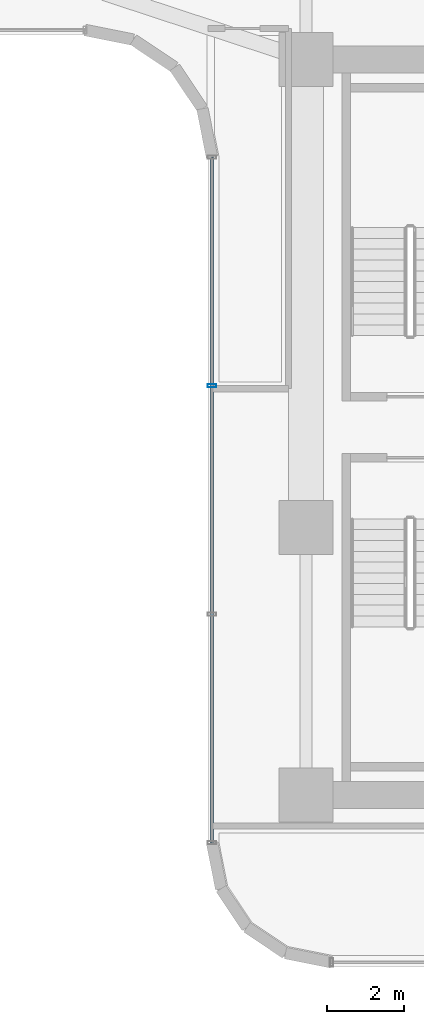
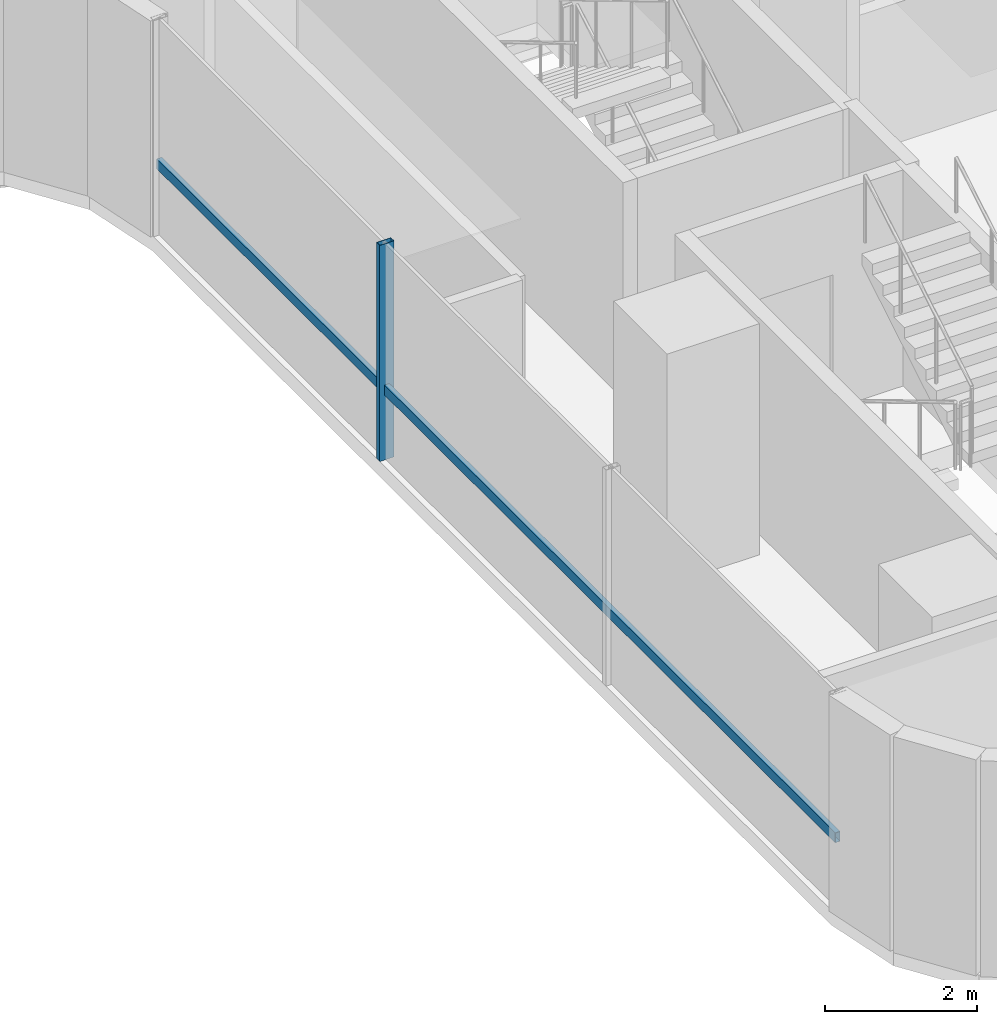
# One storey, part 14 of 40: 2 members, 1 element without a shape of its own.
"""IFC4 building model written with IfcOpenShell, lengths in metres."""

from ifc_helpers import new_model, si_unit, direction, frame, origin, origin_2d, place, context, subcontext, project, spatial, hollow_rectangle, extrude, source, transform, mapped, material, material_profile, profile_set, type_object, element, aggregate, save


model = new_model("IFC4")

# Units and contexts
model_context = context("Model", 3, precision=1e-05, world=origin(), true_north=direction((0.0, 1.0)))
body_context = subcontext(model_context, "Body", "Model", "MODEL_VIEW")
ifc_project = project(units=[si_unit("LENGTHUNIT", "METRE"), si_unit("AREAUNIT", "SQUARE_METRE"), si_unit("VOLUMEUNIT", "CUBIC_METRE"), si_unit("PLANEANGLEUNIT", "RADIAN"), si_unit("MASSUNIT", "GRAM", prefix="KILO")], contexts=[model_context])

# Site, building, storey
site_placement = place(None, origin())
site = spatial("IfcSite", under=ifc_project, at=site_placement, CompositionType="ELEMENT")
building_placement = place(site_placement, origin())
building = spatial("IfcBuilding", under=site, at=building_placement, Name="Valdorenza Pilgrim Sanctuary Tower", CompositionType="ELEMENT")
storey_placement = place(building_placement, frame((0.0, 0.0, 92.60009765625)))
storey = spatial("IfcBuildingStorey", under=building, at=storey_placement, Name="L23", CompositionType="ELEMENT", Elevation=92.60009765625)

# Curtain wall, members
ifc_material_1 = material(Name="Curtain-wall IGU glazing", Category="glass")
curtain_wall_type = type_object("IfcCurtainWallType", Name="CW-SYS-03", PredefinedType="NOTDEFINED", material=ifc_material_1)
curtain_wall_placement = place(storey_placement, origin())
curtain_wall = element("IfcCurtainWall", 1, at=curtain_wall_placement, inside=storey, type_object=curtain_wall_type, Name="L23 Curtain Wall CW-L23-1-31", PredefinedType="NOTDEFINED")
ifc_material_2 = material(Name="Anodised aluminium AW-6060", Category="aluminium")
ifc_material_profile_1 = material_profile(ifc_material_2, hollow_rectangle(XDim=0.0849609375, YDim=0.219970703125, WallThickness=0.0048828125, at=origin_2d()), Name="ALU-M 220x85x5")
ifc_profile_set_1 = profile_set([ifc_material_profile_1], Name="Anodised aluminium AW-6060")
member_type_1 = type_object("IfcMemberType", Name="CW-MUL-03", PredefinedType="MULLION", material=ifc_profile_set_1)
shared_shape_1 = source(origin(), body_context, "Body", "SweptSolid", [
    extrude(hollow_rectangle(XDim=0.0849609375, YDim=0.219970703125, WallThickness=0.0048828125, at=origin_2d()), origin(), (0.0, 0.0, 1.0), 3.4599609375),
])
member_1_placement = place(storey_placement, frame((13.409912109375, 1.077392578125, 0.0), z_axis=(0.0, 0.0, 1.0), x_axis=(0.0, 1.0, 0.0)))
member_1 = element("IfcMember", 2, at=member_1_placement, type_object=member_type_1, Name="CW-L23-1-31 Mullion 3", PredefinedType="MULLION", context=body_context, shape_type="MappedRepresentation", body=[
    mapped(shared_shape_1, transform((0.0, 0.0, 0.0), x_axis=(1.0, 0.0, 0.0), y_axis=(0.0, 1.0, 0.0), z_axis=(0.0, 0.0, 1.0), scale=1.0)),
])
ifc_material_profile_2 = material_profile(ifc_material_2, hollow_rectangle(XDim=0.074951171875, YDim=0.159912109375, WallThickness=0.00390625, at=origin_2d()), Name="ALU-T 160x75x4")
ifc_profile_set_2 = profile_set([ifc_material_profile_2], Name="Anodised aluminium AW-6060")
member_type_2 = type_object("IfcMemberType", Name="CW-TRN-03", PredefinedType="USERDEFINED", material=ifc_profile_set_2)
shared_shape_2 = source(origin(), body_context, "Body", "SweptSolid", [
    extrude(hollow_rectangle(XDim=0.074951171875, YDim=0.159912109375, WallThickness=0.00390625, at=origin_2d()), origin(), (0.0, 0.0, 1.0), 17.800048828125),
])
member_2_placement = place(storey_placement, frame((13.409912109375, -10.789306640625, 1.119873046875), z_axis=(0.0, 1.0, 0.0), x_axis=(-1.0, 0.0, 0.0)))
member_2 = element("IfcMember", 3, at=member_2_placement, type_object=member_type_2, Name="CW-L23-1-31 Transom 1", ObjectType="TRANSOM", PredefinedType="USERDEFINED", context=body_context, shape_type="MappedRepresentation", body=[
    mapped(shared_shape_2, transform((0.0, 0.0, 0.0), x_axis=(1.0, 0.0, 0.0), y_axis=(0.0, 1.0, 0.0), z_axis=(0.0, 0.0, 1.0), scale=1.0)),
])
aggregate(curtain_wall, [member_1, member_2])

save(model, "model.ifc")
